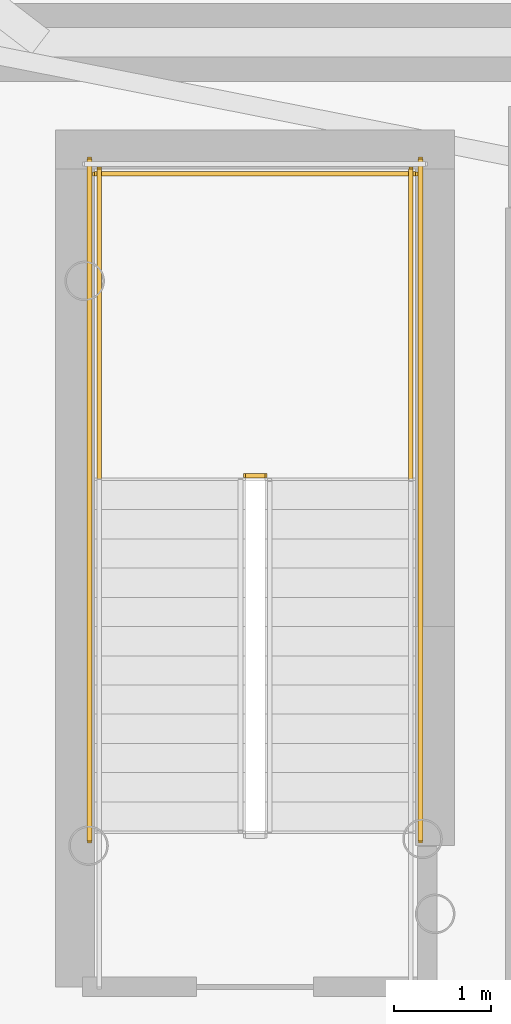
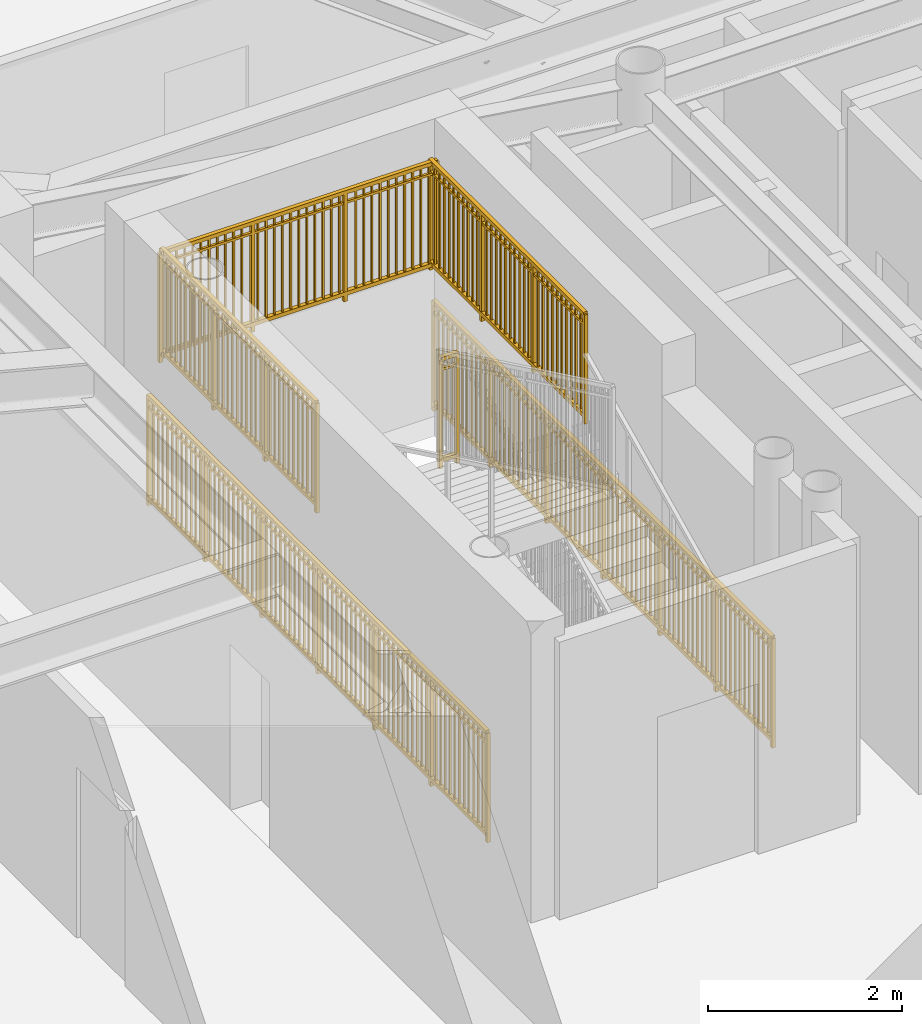
# One storey, part 15 of 18: 6 railings.
"""IFC4 building model written with IfcOpenShell, lengths in metres."""

from ifc_helpers import new_model, si_unit, direction, frame, origin, origin_2d, place, context, subcontext, project, spatial, rectangle, extrude, source, transform, mapped, material, type_object, element, save


model = new_model("IFC4")

# Units and contexts
model_context = context("Model", 3, precision=1e-05, world=origin(), true_north=direction((0.0, 1.0)))
body_context = subcontext(model_context, "Body", "Model", "MODEL_VIEW")
ifc_project = project(units=[si_unit("LENGTHUNIT", "METRE"), si_unit("AREAUNIT", "SQUARE_METRE"), si_unit("VOLUMEUNIT", "CUBIC_METRE"), si_unit("PLANEANGLEUNIT", "RADIAN"), si_unit("MASSUNIT", "GRAM", prefix="KILO")], contexts=[model_context])

# Site, building, storey
site_placement = place(None, origin())
site = spatial("IfcSite", under=ifc_project, at=site_placement, CompositionType="ELEMENT")
building_placement = place(site_placement, origin())
building = spatial("IfcBuilding", under=site, at=building_placement, Name="Linh Dai School and Residence Tower", CompositionType="ELEMENT")
storey_placement = place(building_placement, frame((0.0, 0.0, 100.949951171875)))
storey = spatial("IfcBuildingStorey", under=building, at=storey_placement, Name="L23", CompositionType="ELEMENT", Elevation=100.949951171875)

# Railings
ifc_material = material(Name="Structural Steel S355JR", Category="steel")
railing_type = type_object("IfcRailingType", Name="RL-ST-GUARD-1400", PredefinedType="GUARDRAIL", material=ifc_material)
shared_shape_1 = source(origin(), body_context, "Body", "SweptSolid", [
    extrude(rectangle(XDim=0.048095703125, YDim=0.048095703125, at=origin_2d()), frame((0.0, 0.0, 1.3759765625), z_axis=(-1.0, 0.0, 0.0), x_axis=(0.0, -1.0, 0.0)), (0.0, 0.0, 1.0), 0.199951171875),
    extrude(rectangle(XDim=0.048095703125, YDim=0.048095703125, at=origin_2d()), frame((0.0, 0.0, 0.10009765625), z_axis=(-1.0, 0.0, 0.0), x_axis=(0.0, -1.0, 0.0)), (0.0, 0.0, 1.0), 0.199951171875),
    extrude(rectangle(XDim=0.030029296875, YDim=0.030029296875, at=origin_2d()), frame((0.0, 0.0, 1.239990234375), z_axis=(-1.0, 0.0, 0.0), x_axis=(0.0, -1.0, 0.0)), (0.0, 0.0, 1.0), 0.199951171875),
    extrude(rectangle(XDim=0.0419921875, YDim=0.0419921875, at=origin_2d()), origin(), (0.0, 0.0, 1.0), 1.3759765625),
    extrude(rectangle(XDim=0.0419921875, YDim=0.0419921875, at=origin_2d()), frame((-0.199951171875, 0.0, 0.0)), (0.0, 0.0, 1.0), 1.3759765625),
])
railing_1_placement = place(storey_placement, frame((29.429931640625, 29.35009765625, 1.875)))
element("IfcRailing", 1, at=railing_1_placement, inside=storey, type_object=railing_type, Name="L23 ST1 stair guard 2", PredefinedType="GUARDRAIL", context=body_context, shape_type="MappedRepresentation", body=[
    mapped(shared_shape_1, transform((0.0, 0.0, 0.0), x_axis=(1.0, 0.0, 0.0), y_axis=(0.0, 1.0, 0.0), z_axis=(0.0, 0.0, 1.0), scale=1.0)),
])
shared_shape_2 = source(origin(), body_context, "Body", "SweptSolid", [
    extrude(rectangle(XDim=0.048095703125, YDim=0.048095703125, at=origin_2d()), frame((0.0, 0.0, 1.3759765625), z_axis=(-1.0, 0.0, 0.0), x_axis=(0.0, -1.0, 0.0)), (0.0, 0.0, 1.0), 3.300048828125),
    extrude(rectangle(XDim=0.048095703125, YDim=0.048095703125, at=origin_2d()), frame((0.0, 0.0, 0.10009765625), z_axis=(-1.0, 0.0, 0.0), x_axis=(0.0, -1.0, 0.0)), (0.0, 0.0, 1.0), 3.300048828125),
    extrude(rectangle(XDim=0.030029296875, YDim=0.030029296875, at=origin_2d()), frame((0.0, 0.0, 1.239990234375), z_axis=(-1.0, 0.0, 0.0), x_axis=(0.0, -1.0, 0.0)), (0.0, 0.0, 1.0), 3.300048828125),
    extrude(rectangle(XDim=0.02001953125, YDim=0.02001953125, at=origin_2d()), frame((-0.09716796875, 0.0, 0.10009765625)), (0.0, 0.0, 1.0), 1.251708984375),
    extrude(rectangle(XDim=0.02001953125, YDim=0.02001953125, at=origin_2d()), frame((-0.194091796875, 0.0, 0.10009765625)), (0.0, 0.0, 1.0), 1.251708984375),
    extrude(rectangle(XDim=0.02001953125, YDim=0.02001953125, at=origin_2d()), frame((-0.291259765625, 0.0, 0.10009765625)), (0.0, 0.0, 1.0), 1.251708984375),
    extrude(rectangle(XDim=0.02001953125, YDim=0.02001953125, at=origin_2d()), frame((-0.38818359375, 0.0, 0.10009765625)), (0.0, 0.0, 1.0), 1.251708984375),
    extrude(rectangle(XDim=0.02001953125, YDim=0.02001953125, at=origin_2d()), frame((-0.4853515625, 0.0, 0.10009765625)), (0.0, 0.0, 1.0), 1.251708984375),
    extrude(rectangle(XDim=0.02001953125, YDim=0.02001953125, at=origin_2d()), frame((-0.582275390625, 0.0, 0.10009765625)), (0.0, 0.0, 1.0), 1.251708984375),
    extrude(rectangle(XDim=0.02001953125, YDim=0.02001953125, at=origin_2d()), frame((-0.679443359375, 0.0, 0.10009765625)), (0.0, 0.0, 1.0), 1.251708984375),
    extrude(rectangle(XDim=0.02001953125, YDim=0.02001953125, at=origin_2d()), frame((-0.7763671875, 0.0, 0.10009765625)), (0.0, 0.0, 1.0), 1.251708984375),
    extrude(rectangle(XDim=0.02001953125, YDim=0.02001953125, at=origin_2d()), frame((-0.87353515625, 0.0, 0.10009765625)), (0.0, 0.0, 1.0), 1.251708984375),
    extrude(rectangle(XDim=0.02001953125, YDim=0.02001953125, at=origin_2d()), frame((-0.970703125, 0.0, 0.10009765625)), (0.0, 0.0, 1.0), 1.251708984375),
    extrude(rectangle(XDim=0.02001953125, YDim=0.02001953125, at=origin_2d()), frame((-1.164794921875, 0.0, 0.10009765625)), (0.0, 0.0, 1.0), 1.251708984375),
    extrude(rectangle(XDim=0.02001953125, YDim=0.02001953125, at=origin_2d()), frame((-1.26171875, 0.0, 0.10009765625)), (0.0, 0.0, 1.0), 1.251708984375),
    extrude(rectangle(XDim=0.02001953125, YDim=0.02001953125, at=origin_2d()), frame((-1.35888671875, 0.0, 0.10009765625)), (0.0, 0.0, 1.0), 1.251708984375),
    extrude(rectangle(XDim=0.02001953125, YDim=0.02001953125, at=origin_2d()), frame((-1.455810546875, 0.0, 0.10009765625)), (0.0, 0.0, 1.0), 1.251708984375),
    extrude(rectangle(XDim=0.02001953125, YDim=0.02001953125, at=origin_2d()), frame((-1.552978515625, 0.0, 0.10009765625)), (0.0, 0.0, 1.0), 1.251708984375),
    extrude(rectangle(XDim=0.02001953125, YDim=0.02001953125, at=origin_2d()), frame((-1.64990234375, 0.0, 0.10009765625)), (0.0, 0.0, 1.0), 1.251708984375),
    extrude(rectangle(XDim=0.02001953125, YDim=0.02001953125, at=origin_2d()), frame((-1.7470703125, 0.0, 0.10009765625)), (0.0, 0.0, 1.0), 1.251708984375),
    extrude(rectangle(XDim=0.02001953125, YDim=0.02001953125, at=origin_2d()), frame((-1.84423828125, 0.0, 0.10009765625)), (0.0, 0.0, 1.0), 1.251708984375),
    extrude(rectangle(XDim=0.02001953125, YDim=0.02001953125, at=origin_2d()), frame((-1.941162109375, 0.0, 0.10009765625)), (0.0, 0.0, 1.0), 1.251708984375),
    extrude(rectangle(XDim=0.02001953125, YDim=0.02001953125, at=origin_2d()), frame((-2.038330078125, 0.0, 0.10009765625)), (0.0, 0.0, 1.0), 1.251708984375),
    extrude(rectangle(XDim=0.02001953125, YDim=0.02001953125, at=origin_2d()), frame((-2.13525390625, 0.0, 0.10009765625)), (0.0, 0.0, 1.0), 1.251708984375),
    extrude(rectangle(XDim=0.02001953125, YDim=0.02001953125, at=origin_2d()), frame((-2.329345703125, 0.0, 0.10009765625)), (0.0, 0.0, 1.0), 1.251708984375),
    extrude(rectangle(XDim=0.02001953125, YDim=0.02001953125, at=origin_2d()), frame((-2.426513671875, 0.0, 0.10009765625)), (0.0, 0.0, 1.0), 1.251708984375),
    extrude(rectangle(XDim=0.02001953125, YDim=0.02001953125, at=origin_2d()), frame((-2.523681640625, 0.0, 0.10009765625)), (0.0, 0.0, 1.0), 1.251708984375),
    extrude(rectangle(XDim=0.02001953125, YDim=0.02001953125, at=origin_2d()), frame((-2.62060546875, 0.0, 0.10009765625)), (0.0, 0.0, 1.0), 1.251708984375),
    extrude(rectangle(XDim=0.02001953125, YDim=0.02001953125, at=origin_2d()), frame((-2.7177734375, 0.0, 0.10009765625)), (0.0, 0.0, 1.0), 1.251708984375),
    extrude(rectangle(XDim=0.02001953125, YDim=0.02001953125, at=origin_2d()), frame((-2.814697265625, 0.0, 0.10009765625)), (0.0, 0.0, 1.0), 1.251708984375),
    extrude(rectangle(XDim=0.02001953125, YDim=0.02001953125, at=origin_2d()), frame((-2.911865234375, 0.0, 0.10009765625)), (0.0, 0.0, 1.0), 1.251708984375),
    extrude(rectangle(XDim=0.02001953125, YDim=0.02001953125, at=origin_2d()), frame((-3.0087890625, 0.0, 0.10009765625)), (0.0, 0.0, 1.0), 1.251708984375),
    extrude(rectangle(XDim=0.02001953125, YDim=0.02001953125, at=origin_2d()), frame((-3.10595703125, 0.0, 0.10009765625)), (0.0, 0.0, 1.0), 1.251708984375),
    extrude(rectangle(XDim=0.02001953125, YDim=0.02001953125, at=origin_2d()), frame((-3.202880859375, 0.0, 0.10009765625)), (0.0, 0.0, 1.0), 1.251708984375),
    extrude(rectangle(XDim=0.0419921875, YDim=0.0419921875, at=origin_2d()), origin(), (0.0, 0.0, 1.0), 1.3759765625),
    extrude(rectangle(XDim=0.0419921875, YDim=0.0419921875, at=origin_2d()), frame((-1.10009765625, 0.0, 0.0)), (0.0, 0.0, 1.0), 1.3759765625),
    extrude(rectangle(XDim=0.0419921875, YDim=0.0419921875, at=origin_2d()), frame((-2.199951171875, 0.0, 0.0)), (0.0, 0.0, 1.0), 1.3759765625),
    extrude(rectangle(XDim=0.0419921875, YDim=0.0419921875, at=origin_2d()), frame((-3.300048828125, 0.0, 0.0)), (0.0, 0.0, 1.0), 1.3759765625),
])
railing_2_placement = place(storey_placement, frame((30.97998046875, 32.449951171875, 1.875)))
element("IfcRailing", 2, at=railing_2_placement, inside=storey, type_object=railing_type, Name="L23 ST1 stair guard 5", PredefinedType="GUARDRAIL", context=body_context, shape_type="MappedRepresentation", body=[
    mapped(shared_shape_2, transform((0.0, 0.0, 0.0), x_axis=(1.0, 0.0, 0.0), y_axis=(0.0, 1.0, 0.0), z_axis=(0.0, 0.0, 1.0), scale=1.0)),
])
shared_shape_3 = source(origin(), body_context, "Body", "SweptSolid", [
    extrude(rectangle(XDim=0.048095703125, YDim=0.048095703125, at=origin_2d()), frame((0.0, 0.0, 1.3759765625), z_axis=(0.0, 1.0, 0.0), x_axis=(-1.0, 0.0, 0.0)), (0.0, 0.0, 1.0), 7.0),
    extrude(rectangle(XDim=0.048095703125, YDim=0.048095703125, at=origin_2d()), frame((0.0, 0.0, 0.10009765625), z_axis=(0.0, 1.0, 0.0), x_axis=(-1.0, 0.0, 0.0)), (0.0, 0.0, 1.0), 7.0),
    extrude(rectangle(XDim=0.030029296875, YDim=0.030029296875, at=origin_2d()), frame((0.0, 0.0, 1.239990234375), z_axis=(0.0, 1.0, 0.0), x_axis=(-1.0, 0.0, 0.0)), (0.0, 0.0, 1.0), 7.0),
    extrude(rectangle(XDim=0.02001953125, YDim=0.02001953125, at=origin_2d()), frame((0.0, 0.09716796875, 0.10009765625)), (0.0, 0.0, 1.0), 1.251708984375),
    extrude(rectangle(XDim=0.02001953125, YDim=0.02001953125, at=origin_2d()), frame((0.0, 0.1943359375, 0.10009765625)), (0.0, 0.0, 1.0), 1.251708984375),
    extrude(rectangle(XDim=0.02001953125, YDim=0.02001953125, at=origin_2d()), frame((0.0, 0.291748046875, 0.10009765625)), (0.0, 0.0, 1.0), 1.251708984375),
    extrude(rectangle(XDim=0.02001953125, YDim=0.02001953125, at=origin_2d()), frame((0.0, 0.388916015625, 0.10009765625)), (0.0, 0.0, 1.0), 1.251708984375),
    extrude(rectangle(XDim=0.02001953125, YDim=0.02001953125, at=origin_2d()), frame((0.0, 0.486083984375, 0.10009765625)), (0.0, 0.0, 1.0), 1.251708984375),
    extrude(rectangle(XDim=0.02001953125, YDim=0.02001953125, at=origin_2d()), frame((0.0, 0.583251953125, 0.10009765625)), (0.0, 0.0, 1.0), 1.251708984375),
    extrude(rectangle(XDim=0.02001953125, YDim=0.02001953125, at=origin_2d()), frame((0.0, 0.6806640625, 0.10009765625)), (0.0, 0.0, 1.0), 1.251708984375),
    extrude(rectangle(XDim=0.02001953125, YDim=0.02001953125, at=origin_2d()), frame((0.0, 0.77783203125, 0.10009765625)), (0.0, 0.0, 1.0), 1.251708984375),
    extrude(rectangle(XDim=0.02001953125, YDim=0.02001953125, at=origin_2d()), frame((0.0, 0.875, 0.10009765625)), (0.0, 0.0, 1.0), 1.251708984375),
    extrude(rectangle(XDim=0.02001953125, YDim=0.02001953125, at=origin_2d()), frame((0.0, 0.97216796875, 0.10009765625)), (0.0, 0.0, 1.0), 1.251708984375),
    extrude(rectangle(XDim=0.02001953125, YDim=0.02001953125, at=origin_2d()), frame((0.0, 1.0693359375, 0.10009765625)), (0.0, 0.0, 1.0), 1.251708984375),
    extrude(rectangle(XDim=0.02001953125, YDim=0.02001953125, at=origin_2d()), frame((0.0, 1.263916015625, 0.10009765625)), (0.0, 0.0, 1.0), 1.251708984375),
    extrude(rectangle(XDim=0.02001953125, YDim=0.02001953125, at=origin_2d()), frame((0.0, 1.361083984375, 0.10009765625)), (0.0, 0.0, 1.0), 1.251708984375),
    extrude(rectangle(XDim=0.02001953125, YDim=0.02001953125, at=origin_2d()), frame((0.0, 1.458251953125, 0.10009765625)), (0.0, 0.0, 1.0), 1.251708984375),
    extrude(rectangle(XDim=0.02001953125, YDim=0.02001953125, at=origin_2d()), frame((0.0, 1.5556640625, 0.10009765625)), (0.0, 0.0, 1.0), 1.251708984375),
    extrude(rectangle(XDim=0.02001953125, YDim=0.02001953125, at=origin_2d()), frame((0.0, 1.65283203125, 0.10009765625)), (0.0, 0.0, 1.0), 1.251708984375),
    extrude(rectangle(XDim=0.02001953125, YDim=0.02001953125, at=origin_2d()), frame((0.0, 1.75, 0.10009765625)), (0.0, 0.0, 1.0), 1.251708984375),
    extrude(rectangle(XDim=0.02001953125, YDim=0.02001953125, at=origin_2d()), frame((0.0, 1.84716796875, 0.10009765625)), (0.0, 0.0, 1.0), 1.251708984375),
    extrude(rectangle(XDim=0.02001953125, YDim=0.02001953125, at=origin_2d()), frame((0.0, 1.9443359375, 0.10009765625)), (0.0, 0.0, 1.0), 1.251708984375),
    extrude(rectangle(XDim=0.02001953125, YDim=0.02001953125, at=origin_2d()), frame((0.0, 2.041748046875, 0.10009765625)), (0.0, 0.0, 1.0), 1.251708984375),
    extrude(rectangle(XDim=0.02001953125, YDim=0.02001953125, at=origin_2d()), frame((0.0, 2.138916015625, 0.10009765625)), (0.0, 0.0, 1.0), 1.251708984375),
    extrude(rectangle(XDim=0.02001953125, YDim=0.02001953125, at=origin_2d()), frame((0.0, 2.236083984375, 0.10009765625)), (0.0, 0.0, 1.0), 1.251708984375),
    extrude(rectangle(XDim=0.02001953125, YDim=0.02001953125, at=origin_2d()), frame((0.0, 2.4306640625, 0.10009765625)), (0.0, 0.0, 1.0), 1.251708984375),
    extrude(rectangle(XDim=0.02001953125, YDim=0.02001953125, at=origin_2d()), frame((0.0, 2.52783203125, 0.10009765625)), (0.0, 0.0, 1.0), 1.251708984375),
    extrude(rectangle(XDim=0.02001953125, YDim=0.02001953125, at=origin_2d()), frame((0.0, 2.625, 0.10009765625)), (0.0, 0.0, 1.0), 1.251708984375),
    extrude(rectangle(XDim=0.02001953125, YDim=0.02001953125, at=origin_2d()), frame((0.0, 2.72216796875, 0.10009765625)), (0.0, 0.0, 1.0), 1.251708984375),
    extrude(rectangle(XDim=0.02001953125, YDim=0.02001953125, at=origin_2d()), frame((0.0, 2.8193359375, 0.10009765625)), (0.0, 0.0, 1.0), 1.251708984375),
    extrude(rectangle(XDim=0.02001953125, YDim=0.02001953125, at=origin_2d()), frame((0.0, 2.916748046875, 0.10009765625)), (0.0, 0.0, 1.0), 1.251708984375),
    extrude(rectangle(XDim=0.02001953125, YDim=0.02001953125, at=origin_2d()), frame((0.0, 3.013916015625, 0.10009765625)), (0.0, 0.0, 1.0), 1.251708984375),
    extrude(rectangle(XDim=0.02001953125, YDim=0.02001953125, at=origin_2d()), frame((0.0, 3.111083984375, 0.10009765625)), (0.0, 0.0, 1.0), 1.251708984375),
    extrude(rectangle(XDim=0.02001953125, YDim=0.02001953125, at=origin_2d()), frame((0.0, 3.208251953125, 0.10009765625)), (0.0, 0.0, 1.0), 1.251708984375),
    extrude(rectangle(XDim=0.02001953125, YDim=0.02001953125, at=origin_2d()), frame((0.0, 3.3056640625, 0.10009765625)), (0.0, 0.0, 1.0), 1.251708984375),
    extrude(rectangle(XDim=0.02001953125, YDim=0.02001953125, at=origin_2d()), frame((0.0, 3.40283203125, 0.10009765625)), (0.0, 0.0, 1.0), 1.251708984375),
    extrude(rectangle(XDim=0.02001953125, YDim=0.02001953125, at=origin_2d()), frame((0.0, 3.59716796875, 0.10009765625)), (0.0, 0.0, 1.0), 1.251708984375),
    extrude(rectangle(XDim=0.02001953125, YDim=0.02001953125, at=origin_2d()), frame((0.0, 3.6943359375, 0.10009765625)), (0.0, 0.0, 1.0), 1.251708984375),
    extrude(rectangle(XDim=0.02001953125, YDim=0.02001953125, at=origin_2d()), frame((0.0, 3.791748046875, 0.10009765625)), (0.0, 0.0, 1.0), 1.251708984375),
    extrude(rectangle(XDim=0.02001953125, YDim=0.02001953125, at=origin_2d()), frame((0.0, 3.888916015625, 0.10009765625)), (0.0, 0.0, 1.0), 1.251708984375),
    extrude(rectangle(XDim=0.02001953125, YDim=0.02001953125, at=origin_2d()), frame((0.0, 3.986083984375, 0.10009765625)), (0.0, 0.0, 1.0), 1.251708984375),
    extrude(rectangle(XDim=0.02001953125, YDim=0.02001953125, at=origin_2d()), frame((0.0, 4.083251953125, 0.10009765625)), (0.0, 0.0, 1.0), 1.251708984375),
    extrude(rectangle(XDim=0.02001953125, YDim=0.02001953125, at=origin_2d()), frame((0.0, 4.1806640625, 0.10009765625)), (0.0, 0.0, 1.0), 1.251708984375),
    extrude(rectangle(XDim=0.02001953125, YDim=0.02001953125, at=origin_2d()), frame((0.0, 4.27783203125, 0.10009765625)), (0.0, 0.0, 1.0), 1.251708984375),
    extrude(rectangle(XDim=0.02001953125, YDim=0.02001953125, at=origin_2d()), frame((0.0, 4.375, 0.10009765625)), (0.0, 0.0, 1.0), 1.251708984375),
    extrude(rectangle(XDim=0.02001953125, YDim=0.02001953125, at=origin_2d()), frame((0.0, 4.47216796875, 0.10009765625)), (0.0, 0.0, 1.0), 1.251708984375),
    extrude(rectangle(XDim=0.02001953125, YDim=0.02001953125, at=origin_2d()), frame((0.0, 4.5693359375, 0.10009765625)), (0.0, 0.0, 1.0), 1.251708984375),
    extrude(rectangle(XDim=0.02001953125, YDim=0.02001953125, at=origin_2d()), frame((0.0, 4.763916015625, 0.10009765625)), (0.0, 0.0, 1.0), 1.251708984375),
    extrude(rectangle(XDim=0.02001953125, YDim=0.02001953125, at=origin_2d()), frame((0.0, 4.861083984375, 0.10009765625)), (0.0, 0.0, 1.0), 1.251708984375),
    extrude(rectangle(XDim=0.02001953125, YDim=0.02001953125, at=origin_2d()), frame((0.0, 4.958251953125, 0.10009765625)), (0.0, 0.0, 1.0), 1.251708984375),
    extrude(rectangle(XDim=0.02001953125, YDim=0.02001953125, at=origin_2d()), frame((0.0, 5.0556640625, 0.10009765625)), (0.0, 0.0, 1.0), 1.251708984375),
    extrude(rectangle(XDim=0.02001953125, YDim=0.02001953125, at=origin_2d()), frame((0.0, 5.15283203125, 0.10009765625)), (0.0, 0.0, 1.0), 1.251708984375),
    extrude(rectangle(XDim=0.02001953125, YDim=0.02001953125, at=origin_2d()), frame((0.0, 5.25, 0.10009765625)), (0.0, 0.0, 1.0), 1.251708984375),
    extrude(rectangle(XDim=0.02001953125, YDim=0.02001953125, at=origin_2d()), frame((0.0, 5.34716796875, 0.10009765625)), (0.0, 0.0, 1.0), 1.251708984375),
    extrude(rectangle(XDim=0.02001953125, YDim=0.02001953125, at=origin_2d()), frame((0.0, 5.4443359375, 0.10009765625)), (0.0, 0.0, 1.0), 1.251708984375),
    extrude(rectangle(XDim=0.02001953125, YDim=0.02001953125, at=origin_2d()), frame((0.0, 5.541748046875, 0.10009765625)), (0.0, 0.0, 1.0), 1.251708984375),
    extrude(rectangle(XDim=0.02001953125, YDim=0.02001953125, at=origin_2d()), frame((0.0, 5.638916015625, 0.10009765625)), (0.0, 0.0, 1.0), 1.251708984375),
    extrude(rectangle(XDim=0.02001953125, YDim=0.02001953125, at=origin_2d()), frame((0.0, 5.736083984375, 0.10009765625)), (0.0, 0.0, 1.0), 1.251708984375),
    extrude(rectangle(XDim=0.02001953125, YDim=0.02001953125, at=origin_2d()), frame((0.0, 5.9306640625, 0.10009765625)), (0.0, 0.0, 1.0), 1.251708984375),
    extrude(rectangle(XDim=0.02001953125, YDim=0.02001953125, at=origin_2d()), frame((0.0, 6.02783203125, 0.10009765625)), (0.0, 0.0, 1.0), 1.251708984375),
    extrude(rectangle(XDim=0.02001953125, YDim=0.02001953125, at=origin_2d()), frame((0.0, 6.125, 0.10009765625)), (0.0, 0.0, 1.0), 1.251708984375),
    extrude(rectangle(XDim=0.02001953125, YDim=0.02001953125, at=origin_2d()), frame((0.0, 6.22216796875, 0.10009765625)), (0.0, 0.0, 1.0), 1.251708984375),
    extrude(rectangle(XDim=0.02001953125, YDim=0.02001953125, at=origin_2d()), frame((0.0, 6.3193359375, 0.10009765625)), (0.0, 0.0, 1.0), 1.251708984375),
    extrude(rectangle(XDim=0.02001953125, YDim=0.02001953125, at=origin_2d()), frame((0.0, 6.416748046875, 0.10009765625)), (0.0, 0.0, 1.0), 1.251708984375),
    extrude(rectangle(XDim=0.02001953125, YDim=0.02001953125, at=origin_2d()), frame((0.0, 6.513916015625, 0.10009765625)), (0.0, 0.0, 1.0), 1.251708984375),
    extrude(rectangle(XDim=0.02001953125, YDim=0.02001953125, at=origin_2d()), frame((0.0, 6.611083984375, 0.10009765625)), (0.0, 0.0, 1.0), 1.251708984375),
    extrude(rectangle(XDim=0.02001953125, YDim=0.02001953125, at=origin_2d()), frame((0.0, 6.708251953125, 0.10009765625)), (0.0, 0.0, 1.0), 1.251708984375),
    extrude(rectangle(XDim=0.02001953125, YDim=0.02001953125, at=origin_2d()), frame((0.0, 6.8056640625, 0.10009765625)), (0.0, 0.0, 1.0), 1.251708984375),
    extrude(rectangle(XDim=0.02001953125, YDim=0.02001953125, at=origin_2d()), frame((0.0, 6.90283203125, 0.10009765625)), (0.0, 0.0, 1.0), 1.251708984375),
    extrude(rectangle(XDim=0.0419921875, YDim=0.0419921875, at=origin_2d()), origin(), (0.0, 0.0, 1.0), 1.3759765625),
    extrude(rectangle(XDim=0.0419921875, YDim=0.0419921875, at=origin_2d()), frame((0.0, 1.166748046875, 0.0)), (0.0, 0.0, 1.0), 1.3759765625),
    extrude(rectangle(XDim=0.0419921875, YDim=0.0419921875, at=origin_2d()), frame((0.0, 2.333251953125, 0.0)), (0.0, 0.0, 1.0), 1.3759765625),
    extrude(rectangle(XDim=0.0419921875, YDim=0.0419921875, at=origin_2d()), frame((0.0, 3.5, 0.0)), (0.0, 0.0, 1.0), 1.3759765625),
    extrude(rectangle(XDim=0.0419921875, YDim=0.0419921875, at=origin_2d()), frame((0.0, 4.666748046875, 0.0)), (0.0, 0.0, 1.0), 1.3759765625),
    extrude(rectangle(XDim=0.0419921875, YDim=0.0419921875, at=origin_2d()), frame((0.0, 5.833251953125, 0.0)), (0.0, 0.0, 1.0), 1.3759765625),
    extrude(rectangle(XDim=0.0419921875, YDim=0.0419921875, at=origin_2d()), frame((0.0, 7.0, 0.0)), (0.0, 0.0, 1.0), 1.3759765625),
])
for number, where, name in (
    (3, (31.030029296875, 25.60009765625, 0.0), "L23 ST1 stair guard 10"),
    (4, (27.6298828125, 25.60009765625, 0.0), "L23 ST1 stair guard 11"),
):
    element("IfcRailing", number, at=place(storey_placement, frame(where)), inside=storey, type_object=railing_type, Name=name, PredefinedType="GUARDRAIL", context=body_context, shape_type="MappedRepresentation", body=[
        mapped(shared_shape_3, transform((0.0, 0.0, 0.0), x_axis=(1.0, 0.0, 0.0), y_axis=(0.0, 1.0, 0.0), z_axis=(0.0, 0.0, 1.0), scale=1.0)),
    ])
shared_shape_4 = source(origin(), body_context, "Body", "SweptSolid", [
    extrude(rectangle(XDim=0.048095703125, YDim=0.048095703125, at=origin_2d()), frame((0.0, 0.0, 1.3759765625), z_axis=(0.0, 1.0, 0.0), x_axis=(-1.0, 0.0, 0.0)), (0.0, 0.0, 1.0), 3.199951171875),
    extrude(rectangle(XDim=0.048095703125, YDim=0.048095703125, at=origin_2d()), frame((0.0, 0.0, 0.10009765625), z_axis=(0.0, 1.0, 0.0), x_axis=(-1.0, 0.0, 0.0)), (0.0, 0.0, 1.0), 3.199951171875),
    extrude(rectangle(XDim=0.030029296875, YDim=0.030029296875, at=origin_2d()), frame((0.0, 0.0, 1.239990234375), z_axis=(0.0, 1.0, 0.0), x_axis=(-1.0, 0.0, 0.0)), (0.0, 0.0, 1.0), 3.199951171875),
    extrude(rectangle(XDim=0.02001953125, YDim=0.02001953125, at=origin_2d()), frame((0.0, 0.096923828125, 0.10009765625)), (0.0, 0.0, 1.0), 1.251708984375),
    extrude(rectangle(XDim=0.02001953125, YDim=0.02001953125, at=origin_2d()), frame((0.0, 0.19384765625, 0.10009765625)), (0.0, 0.0, 1.0), 1.251708984375),
    extrude(rectangle(XDim=0.02001953125, YDim=0.02001953125, at=origin_2d()), frame((0.0, 0.291015625, 0.10009765625)), (0.0, 0.0, 1.0), 1.251708984375),
    extrude(rectangle(XDim=0.02001953125, YDim=0.02001953125, at=origin_2d()), frame((0.0, 0.387939453125, 0.10009765625)), (0.0, 0.0, 1.0), 1.251708984375),
    extrude(rectangle(XDim=0.02001953125, YDim=0.02001953125, at=origin_2d()), frame((0.0, 0.48486328125, 0.10009765625)), (0.0, 0.0, 1.0), 1.251708984375),
    extrude(rectangle(XDim=0.02001953125, YDim=0.02001953125, at=origin_2d()), frame((0.0, 0.581787109375, 0.10009765625)), (0.0, 0.0, 1.0), 1.251708984375),
    extrude(rectangle(XDim=0.02001953125, YDim=0.02001953125, at=origin_2d()), frame((0.0, 0.6787109375, 0.10009765625)), (0.0, 0.0, 1.0), 1.251708984375),
    extrude(rectangle(XDim=0.02001953125, YDim=0.02001953125, at=origin_2d()), frame((0.0, 0.775634765625, 0.10009765625)), (0.0, 0.0, 1.0), 1.251708984375),
    extrude(rectangle(XDim=0.02001953125, YDim=0.02001953125, at=origin_2d()), frame((0.0, 0.872802734375, 0.10009765625)), (0.0, 0.0, 1.0), 1.251708984375),
    extrude(rectangle(XDim=0.02001953125, YDim=0.02001953125, at=origin_2d()), frame((0.0, 0.9697265625, 0.10009765625)), (0.0, 0.0, 1.0), 1.251708984375),
    extrude(rectangle(XDim=0.02001953125, YDim=0.02001953125, at=origin_2d()), frame((0.0, 1.16357421875, 0.10009765625)), (0.0, 0.0, 1.0), 1.251708984375),
    extrude(rectangle(XDim=0.02001953125, YDim=0.02001953125, at=origin_2d()), frame((0.0, 1.260498046875, 0.10009765625)), (0.0, 0.0, 1.0), 1.251708984375),
    extrude(rectangle(XDim=0.02001953125, YDim=0.02001953125, at=origin_2d()), frame((0.0, 1.357666015625, 0.10009765625)), (0.0, 0.0, 1.0), 1.251708984375),
    extrude(rectangle(XDim=0.02001953125, YDim=0.02001953125, at=origin_2d()), frame((0.0, 1.45458984375, 0.10009765625)), (0.0, 0.0, 1.0), 1.251708984375),
    extrude(rectangle(XDim=0.02001953125, YDim=0.02001953125, at=origin_2d()), frame((0.0, 1.551513671875, 0.10009765625)), (0.0, 0.0, 1.0), 1.251708984375),
    extrude(rectangle(XDim=0.02001953125, YDim=0.02001953125, at=origin_2d()), frame((0.0, 1.6484375, 0.10009765625)), (0.0, 0.0, 1.0), 1.251708984375),
    extrude(rectangle(XDim=0.02001953125, YDim=0.02001953125, at=origin_2d()), frame((0.0, 1.745361328125, 0.10009765625)), (0.0, 0.0, 1.0), 1.251708984375),
    extrude(rectangle(XDim=0.02001953125, YDim=0.02001953125, at=origin_2d()), frame((0.0, 1.84228515625, 0.10009765625)), (0.0, 0.0, 1.0), 1.251708984375),
    extrude(rectangle(XDim=0.02001953125, YDim=0.02001953125, at=origin_2d()), frame((0.0, 1.939453125, 0.10009765625)), (0.0, 0.0, 1.0), 1.251708984375),
    extrude(rectangle(XDim=0.02001953125, YDim=0.02001953125, at=origin_2d()), frame((0.0, 2.036376953125, 0.10009765625)), (0.0, 0.0, 1.0), 1.251708984375),
    extrude(rectangle(XDim=0.02001953125, YDim=0.02001953125, at=origin_2d()), frame((0.0, 2.230224609375, 0.10009765625)), (0.0, 0.0, 1.0), 1.251708984375),
    extrude(rectangle(XDim=0.02001953125, YDim=0.02001953125, at=origin_2d()), frame((0.0, 2.3271484375, 0.10009765625)), (0.0, 0.0, 1.0), 1.251708984375),
    extrude(rectangle(XDim=0.02001953125, YDim=0.02001953125, at=origin_2d()), frame((0.0, 2.42431640625, 0.10009765625)), (0.0, 0.0, 1.0), 1.251708984375),
    extrude(rectangle(XDim=0.02001953125, YDim=0.02001953125, at=origin_2d()), frame((0.0, 2.521240234375, 0.10009765625)), (0.0, 0.0, 1.0), 1.251708984375),
    extrude(rectangle(XDim=0.02001953125, YDim=0.02001953125, at=origin_2d()), frame((0.0, 2.6181640625, 0.10009765625)), (0.0, 0.0, 1.0), 1.251708984375),
    extrude(rectangle(XDim=0.02001953125, YDim=0.02001953125, at=origin_2d()), frame((0.0, 2.715087890625, 0.10009765625)), (0.0, 0.0, 1.0), 1.251708984375),
    extrude(rectangle(XDim=0.02001953125, YDim=0.02001953125, at=origin_2d()), frame((0.0, 2.81201171875, 0.10009765625)), (0.0, 0.0, 1.0), 1.251708984375),
    extrude(rectangle(XDim=0.02001953125, YDim=0.02001953125, at=origin_2d()), frame((0.0, 2.908935546875, 0.10009765625)), (0.0, 0.0, 1.0), 1.251708984375),
    extrude(rectangle(XDim=0.02001953125, YDim=0.02001953125, at=origin_2d()), frame((0.0, 3.006103515625, 0.10009765625)), (0.0, 0.0, 1.0), 1.251708984375),
    extrude(rectangle(XDim=0.02001953125, YDim=0.02001953125, at=origin_2d()), frame((0.0, 3.10302734375, 0.10009765625)), (0.0, 0.0, 1.0), 1.251708984375),
    extrude(rectangle(XDim=0.0419921875, YDim=0.0419921875, at=origin_2d()), origin(), (0.0, 0.0, 1.0), 1.3759765625),
    extrude(rectangle(XDim=0.0419921875, YDim=0.0419921875, at=origin_2d()), frame((0.0, 1.066650390625, 0.0)), (0.0, 0.0, 1.0), 1.3759765625),
    extrude(rectangle(XDim=0.0419921875, YDim=0.0419921875, at=origin_2d()), frame((0.0, 2.13330078125, 0.0)), (0.0, 0.0, 1.0), 1.3759765625),
    extrude(rectangle(XDim=0.0419921875, YDim=0.0419921875, at=origin_2d()), frame((0.0, 3.199951171875, 0.0)), (0.0, 0.0, 1.0), 1.3759765625),
])
for number, where, name in (
    (5, (30.929931640625, 29.300048828125, 1.875), "L23 ST1 stair guard 3"),
    (6, (27.72998046875, 29.300048828125, 1.875), "L23 ST1 stair guard 4"),
):
    element("IfcRailing", number, at=place(storey_placement, frame(where)), inside=storey, type_object=railing_type, Name=name, PredefinedType="GUARDRAIL", context=body_context, shape_type="MappedRepresentation", body=[
        mapped(shared_shape_4, transform((0.0, 0.0, 0.0), x_axis=(1.0, 0.0, 0.0), y_axis=(0.0, 1.0, 0.0), z_axis=(0.0, 0.0, 1.0), scale=1.0)),
    ])

save(model, "model.ifc")
